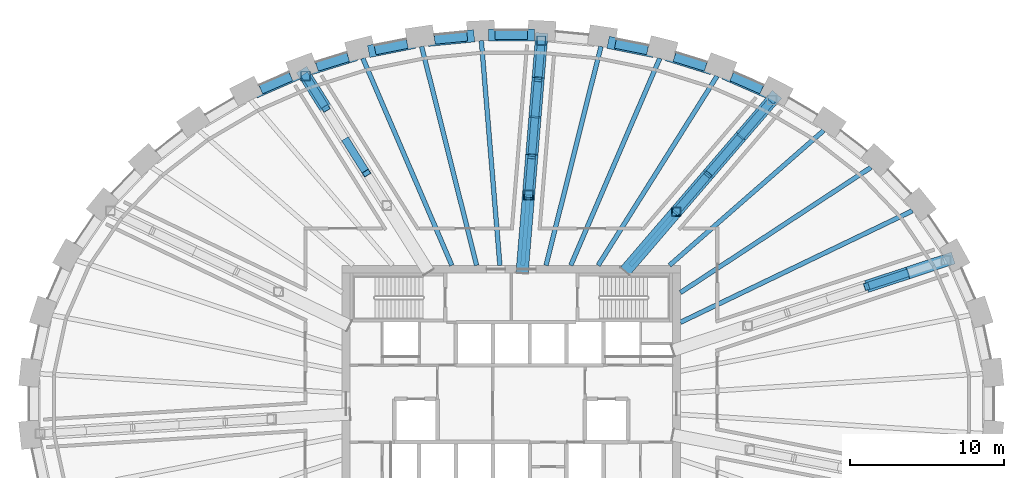
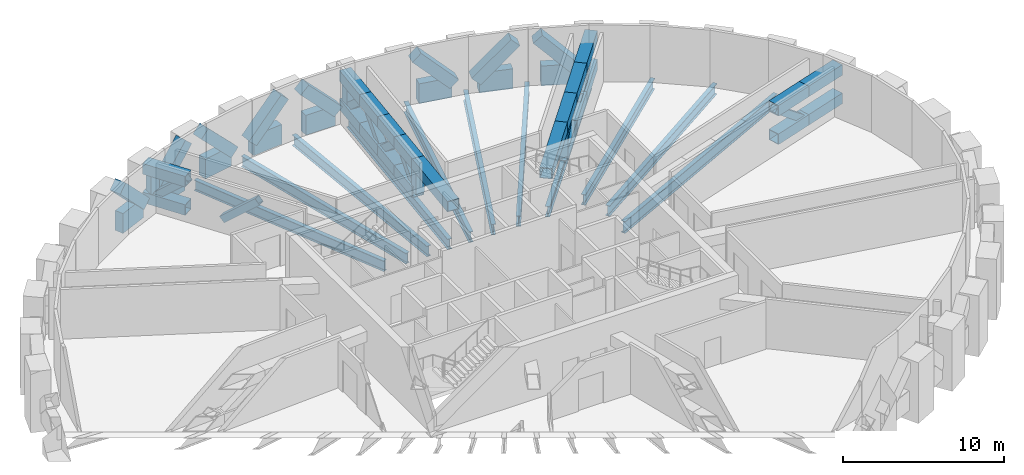
# One storey, part 5 of 12: 44 members, 19 beams.
"""IFC4 building model written with IfcOpenShell, lengths in metres."""

from ifc_helpers import new_model, si_unit, direction, frame, origin, origin_2d, place, context, subcontext, project, spatial, rectangle, hollow_rectangle, i_section, extrude, source, transform, mapped, material, material_profile, profile_set, type_object, element, save


model = new_model("IFC4")

# Units and contexts
model_context = context("Model", 3, precision=1e-05, world=origin(), true_north=direction((0.0, 1.0)))
body_context = subcontext(model_context, "Body", "Model", "MODEL_VIEW")
ifc_project = project(units=[si_unit("LENGTHUNIT", "METRE"), si_unit("AREAUNIT", "SQUARE_METRE"), si_unit("VOLUMEUNIT", "CUBIC_METRE"), si_unit("PLANEANGLEUNIT", "RADIAN"), si_unit("MASSUNIT", "GRAM", prefix="KILO")], contexts=[model_context])

# Site, building, storey
site_placement = place(None, origin())
site = spatial("IfcSite", under=ifc_project, at=site_placement, CompositionType="ELEMENT")
building_placement = place(site_placement, origin())
building = spatial("IfcBuilding", under=site, at=building_placement, Name="Embergate Tower", CompositionType="ELEMENT")
storey_placement = place(building_placement, frame((0.0, 0.0, 289.0)))
storey = spatial("IfcBuildingStorey", under=building, at=storey_placement, Name="L67", CompositionType="ELEMENT", Elevation=289.0)

# Beams
ifc_material_1 = material(Name="Concrete C50", Category="concrete")
ifc_material_profile_1 = material_profile(ifc_material_1, rectangle(XDim=0.60009765625, YDim=1.5, at=origin_2d()), Name="RC 600x1500")
ifc_profile_set_1 = profile_set([ifc_material_profile_1], Name="Concrete C50")
beam_type_1 = type_object("IfcBeamType", Name="Spandrel beam RC 600x1500 C50", PredefinedType="BEAM", material=ifc_profile_set_1)
shared_shape_1 = source(origin(), body_context, "Body", "SweptSolid", [
    extrude(rectangle(XDim=0.60009765625, YDim=1.5, at=origin_2d()), origin(), (0.0, 0.0, 1.0), 2.13916015625),
])
for number, where, z_axis, x_axis, name in (
    (1, (16.2958984375, 20.430908203125, 0.0), (-0.916209713136, 0.400699091034, 0.0), (-0.400699091034, -0.916209713136, 0.0), "SPN-L67-06"),
    (2, (-14.3359375, 21.2880859375, 0.0), (-0.916209713136, -0.400699091034, 0.0), (0.400699091034, -0.916209713136, 0.0), "SPN-L67-14"),
):
    element("IfcBeam", number, at=place(storey_placement, frame(where, z_axis=z_axis, x_axis=x_axis)), inside=storey, type_object=beam_type_1, Name=name, PredefinedType="BEAM", context=body_context, shape_type="MappedRepresentation", body=[
        mapped(shared_shape_1, transform((0.0, 0.0, 0.0))),
    ])
shared_shape_2 = source(origin(), body_context, "Body", "SweptSolid", [
    extrude(rectangle(XDim=0.60009765625, YDim=1.5, at=origin_2d()), origin(), (0.0, 0.0, 1.0), 2.137451171875),
])
for number, where, z_axis, x_axis, name in (
    (3, (12.64990234375, 21.91796875, 0.0), (-0.954853176449, 0.297078123438, 0.0), (-0.297078123438, -0.954853176449, 0.0), "SPN-L67-07"),
    (4, (-10.60888671875, 22.552978515625, 0.0), (-0.954853176449, -0.297078123438, 0.0), (0.297078123438, -0.954853176449, 0.0), "SPN-L67-13"),
):
    element("IfcBeam", number, at=place(storey_placement, frame(where, z_axis=z_axis, x_axis=x_axis)), inside=storey, type_object=beam_type_1, Name=name, PredefinedType="BEAM", context=body_context, shape_type="MappedRepresentation", body=[
        mapped(shared_shape_2, transform((0.0, 0.0, 0.0))),
    ])
shared_shape_3 = source(origin(), body_context, "Body", "SweptSolid", [
    extrude(rectangle(XDim=0.60009765625, YDim=1.5, at=origin_2d()), origin(), (0.0, 0.0, 1.0), 2.13671875),
])
for number, where, z_axis, x_axis, name in (
    (5, (8.864990234375, 22.998046875, 0.0), (-0.980497086391, 0.196533619461, 0.0), (-0.196533619461, -0.980497086391, 0.0), "SPN-L67-08"),
    (6, (-6.77001953125, 23.41796875, 0.0), (-0.980497086391, -0.196533619461, 0.0), (0.196533619461, -0.980497086391, 0.0), "SPN-L67-12"),
):
    element("IfcBeam", number, at=place(storey_placement, frame(where, z_axis=z_axis, x_axis=x_axis)), inside=storey, type_object=beam_type_1, Name=name, PredefinedType="BEAM", context=body_context, shape_type="MappedRepresentation", body=[
        mapped(shared_shape_3, transform((0.0, 0.0, 0.0))),
    ])
shared_shape_4 = source(origin(), body_context, "Body", "SweptSolid", [
    extrude(rectangle(XDim=0.60009765625, YDim=1.5, at=origin_2d()), origin(), (0.0, 0.0, 1.0), 2.13427734375),
])
beam_1_placement = place(storey_placement, frame((-2.865966796875, 23.89306640625, 0.0), z_axis=(-0.995194487499, -0.097917986356, 0.0), x_axis=(0.097917986356, -0.995194487499, 0.0)))
element("IfcBeam", 7, at=beam_1_placement, inside=storey, type_object=beam_type_1, Name="SPN-L67-11", PredefinedType="BEAM", context=body_context, shape_type="MappedRepresentation", body=[
    mapped(shared_shape_4, transform((0.0, 0.0, 0.0))),
])
shared_shape_5 = source(origin(), body_context, "Body", "SweptSolid", [
    extrude(rectangle(XDim=0.60009765625, YDim=1.5, at=origin_2d()), origin(), (0.0, 0.0, 1.0), 2.13623046875),
])
beam_2_placement = place(storey_placement, frame((1.068115234375, 23.98095703125, 0.0), z_axis=(-1.0, 0.0, 0.0), x_axis=(0.0, -1.0, 0.0)))
element("IfcBeam", 8, at=beam_2_placement, inside=storey, type_object=beam_type_1, Name="SPN-L67-10", PredefinedType="BEAM", context=body_context, shape_type="MappedRepresentation", body=[
    mapped(shared_shape_5, transform((0.0, 0.0, 0.0))),
])
ifc_material_2 = material(Name="Steel Q355B", Category="steel")
ifc_material_profile_2 = material_profile(ifc_material_2, i_section(OverallWidth=0.300048828125, OverallDepth=0.89990234375, WebThickness=0.01611328125, FlangeThickness=0.028076171875, FilletRadius=0.028076171875, at=origin_2d()), Name="HN 900x300x16x28")
ifc_profile_set_2 = profile_set([ifc_material_profile_2], Name="Steel Q355 grade B")
beam_type_2 = type_object("IfcBeamType", Name="Plant girder HN 900x300x16x28", PredefinedType="BEAM", material=ifc_profile_set_2)
shared_shape_6 = source(origin(), body_context, "Body", "SweptSolid", [
    extrude(i_section(OverallWidth=0.300048828125, OverallDepth=0.89990234375, WebThickness=0.01611328125, FlangeThickness=0.028076171875, FilletRadius=0.028076171875, at=origin_2d()), origin(), (0.0, 0.0, 1.0), 16.742919921875),
])
beam_3_placement = place(storey_placement, frame((26.087890625, 12.550048828125, -0.75), z_axis=(-0.901152969727, -0.433501240081, 0.0), x_axis=(0.433501240081, -0.901152969727, 0.0)))
element("IfcBeam", 9, at=beam_3_placement, inside=storey, type_object=beam_type_2, Name="GIR-L67-03", PredefinedType="BEAM", context=body_context, shape_type="MappedRepresentation", body=[
    mapped(shared_shape_6, transform((0.0, 0.0, 0.0))),
])
ifc_material_profile_3 = material_profile(ifc_material_2, i_section(OverallWidth=0.300048828125, OverallDepth=0.800048828125, WebThickness=0.013916015625, FlangeThickness=0.02587890625, FilletRadius=0.028076171875, at=origin_2d()), Name="HN 800x300x14x26")
ifc_profile_set_3 = profile_set([ifc_material_profile_3], Name="Steel Q355 grade B")
beam_type_3 = type_object("IfcBeamType", Name="Plant girder HN 800x300x14x26", PredefinedType="BEAM", material=ifc_profile_set_3)
shared_shape_7 = source(origin(), body_context, "Body", "SweptSolid", [
    extrude(i_section(OverallWidth=0.300048828125, OverallDepth=0.800048828125, WebThickness=0.013916015625, FlangeThickness=0.02587890625, FilletRadius=0.028076171875, at=origin_2d()), origin(), (0.0, 0.0, 1.0), 14.83251953125),
])
beam_4_placement = place(storey_placement, frame((23.39599609375, 15.3720703125, -0.699951171875), z_axis=(-0.835733968997, -0.549134530935, 0.0), x_axis=(0.549134530935, -0.835733968997, 0.0)))
element("IfcBeam", 10, at=beam_4_placement, inside=storey, type_object=beam_type_3, Name="GIR-L67-04", PredefinedType="BEAM", context=body_context, shape_type="MappedRepresentation", body=[
    mapped(shared_shape_7, transform((0.0, 0.0, 0.0))),
])
shared_shape_8 = source(origin(), body_context, "Body", "SweptSolid", [
    extrude(i_section(OverallWidth=0.300048828125, OverallDepth=0.800048828125, WebThickness=0.013916015625, FlangeThickness=0.02587890625, FilletRadius=0.028076171875, at=origin_2d()), origin(), (0.0, 0.0, 1.0), 13.325439453125),
])
beam_5_placement = place(storey_placement, frame((20.322021484375, 17.77197265625, -0.699951171875), z_axis=(-0.752768469268, -0.658285372522, 0.0), x_axis=(0.658285372522, -0.752768469268, 0.0)))
element("IfcBeam", 11, at=beam_5_placement, inside=storey, type_object=beam_type_3, Name="GIR-L67-05", PredefinedType="BEAM", context=body_context, shape_type="MappedRepresentation", body=[
    mapped(shared_shape_8, transform((0.0, 0.0, 0.0))),
])
shared_shape_9 = source(origin(), body_context, "Body", "SweptSolid", [
    extrude(i_section(OverallWidth=0.300048828125, OverallDepth=0.800048828125, WebThickness=0.013916015625, FlangeThickness=0.02587890625, FilletRadius=0.028076171875, at=origin_2d()), origin(), (0.0, 0.0, 1.0), 14.16796875),
])
beam_6_placement = place(storey_placement, frame((16.958984375, 19.7490234375, -0.699951171875), z_axis=(-0.651463764724, -0.758679750126, 0.0), x_axis=(0.758679750126, -0.651463764724, 0.0)))
element("IfcBeam", 12, at=beam_6_placement, inside=storey, type_object=beam_type_3, Name="GIR-L67-06", PredefinedType="BEAM", context=body_context, shape_type="MappedRepresentation", body=[
    mapped(shared_shape_9, transform((0.0, 0.0, 0.0))),
])
shared_shape_10 = source(origin(), body_context, "Body", "SweptSolid", [
    extrude(i_section(OverallWidth=0.300048828125, OverallDepth=0.800048828125, WebThickness=0.013916015625, FlangeThickness=0.02587890625, FilletRadius=0.028076171875, at=origin_2d()), origin(), (0.0, 0.0, 1.0), 14.5390625),
])
beam_7_placement = place(storey_placement, frame((13.385009765625, 21.31201171875, -0.699951171875), z_axis=(-0.531872320172, -0.846824559773, 0.0), x_axis=(0.846824559773, -0.531872320172, 0.0)))
element("IfcBeam", 13, at=beam_7_placement, inside=storey, type_object=beam_type_3, Name="GIR-L67-07", PredefinedType="BEAM", context=body_context, shape_type="MappedRepresentation", body=[
    mapped(shared_shape_10, transform((0.0, 0.0, 0.0))),
])
shared_shape_11 = source(origin(), body_context, "Body", "SweptSolid", [
    extrude(i_section(OverallWidth=0.300048828125, OverallDepth=0.800048828125, WebThickness=0.013916015625, FlangeThickness=0.02587890625, FilletRadius=0.028076171875, at=origin_2d()), origin(), (0.0, 0.0, 1.0), 14.662841796875),
])
for number, where, z_axis, x_axis, name in (
    (14, (9.659912109375, 22.470947265625, -0.699951171875), (-0.394941891476, -0.918706102275, 0.0), (0.918706102275, -0.394941891476, 0.0), "GIR-L67-08"),
    (15, (-9.659912109375, 22.470947265625, -0.699951171875), (0.394941891476, -0.918706102275, 0.0), (0.918706102275, 0.394941891476, 0.0), "GIR-L67-13"),
):
    element("IfcBeam", number, at=place(storey_placement, frame(where, z_axis=z_axis, x_axis=x_axis)), inside=storey, type_object=beam_type_3, Name=name, PredefinedType="BEAM", context=body_context, shape_type="MappedRepresentation", body=[
        mapped(shared_shape_11, transform((0.0, 0.0, 0.0))),
    ])
shared_shape_12 = source(origin(), body_context, "Body", "SweptSolid", [
    extrude(i_section(OverallWidth=0.300048828125, OverallDepth=0.800048828125, WebThickness=0.013916015625, FlangeThickness=0.02587890625, FilletRadius=0.028076171875, at=origin_2d()), origin(), (0.0, 0.0, 1.0), 14.6806640625),
])
for number, where, z_axis, x_axis, name in (
    (16, (5.8330078125, 23.239013671875, -0.699951171875), (-0.243447235722, -0.969914142293, 0.0), (0.969914142293, -0.243447235722, 0.0), "GIR-L67-09"),
    (17, (-5.8330078125, 23.239013671875, -0.699951171875), (0.243447235722, -0.969914142293, 0.0), (0.969914142293, 0.243447235722, 0.0), "GIR-L67-12"),
):
    element("IfcBeam", number, at=place(storey_placement, frame(where, z_axis=z_axis, x_axis=x_axis)), inside=storey, type_object=beam_type_3, Name=name, PredefinedType="BEAM", context=body_context, shape_type="MappedRepresentation", body=[
        mapped(shared_shape_12, transform((0.0, 0.0, 0.0))),
    ])
shared_shape_13 = source(origin(), body_context, "Body", "SweptSolid", [
    extrude(i_section(OverallWidth=0.300048828125, OverallDepth=0.800048828125, WebThickness=0.013916015625, FlangeThickness=0.02587890625, FilletRadius=0.028076171875, at=origin_2d()), origin(), (0.0, 0.0, 1.0), 14.6708984375),
])
for number, where, z_axis, x_axis, name in (
    (18, (1.950927734375, 23.62109375, -0.699951171875), (-0.082340334024, -0.996604269203, 0.0), (0.996604269203, -0.082340334024, 0.0), "GIR-L67-10"),
    (19, (-1.950927734375, 23.62109375, -0.699951171875), (0.082340334024, -0.996604269203, 0.0), (0.996604269203, 0.082340334024, 0.0), "GIR-L67-11"),
):
    element("IfcBeam", number, at=place(storey_placement, frame(where, z_axis=z_axis, x_axis=x_axis)), inside=storey, type_object=beam_type_3, Name=name, PredefinedType="BEAM", context=body_context, shape_type="MappedRepresentation", body=[
        mapped(shared_shape_13, transform((0.0, 0.0, 0.0))),
    ])

# Members
ifc_material_profile_4 = material_profile(ifc_material_2, hollow_rectangle(XDim=0.800048828125, YDim=0.800048828125, WallThickness=0.0400390625, at=origin_2d()), Name="BOX 800x800x40")
ifc_profile_set_4 = profile_set([ifc_material_profile_4], Name="Steel Q355 grade B")
member_type_1 = type_object("IfcMemberType", Name="Outrigger chord BOX 800x800x40", PredefinedType="CHORD", material=ifc_profile_set_4)
shared_shape_14 = source(origin(), body_context, "Body", "SweptSolid", [
    extrude(hollow_rectangle(XDim=0.800048828125, YDim=0.800048828125, WallThickness=0.0400390625, at=origin_2d()), origin(), (0.0, 0.0, 1.0), 2.81982421875),
])
for number, where, z_axis, x_axis, name in (
    (20, (23.114990234375, 7.623046875, 2.550048828125), (0.949699995301, 0.313161170845, 0.0), (-0.313161170845, 0.949699995301, 0.0), "OUT-L67-02-TC04"),
    (21, (23.114990234375, 7.623046875, 0.39990234375), (0.949699995301, 0.313161170845, 0.0), (-0.313161170845, 0.949699995301, 0.0), "OUT-L67-02-BC03"),
):
    element("IfcMember", number, at=place(storey_placement, frame(where, z_axis=z_axis, x_axis=x_axis)), inside=storey, type_object=member_type_1, Name=name, PredefinedType="CHORD", context=body_context, shape_type="MappedRepresentation", body=[
        mapped(shared_shape_14, transform((0.0, 0.0, 0.0))),
    ])
shared_shape_15 = source(origin(), body_context, "Body", "SweptSolid", [
    extrude(hollow_rectangle(XDim=0.800048828125, YDim=0.800048828125, WallThickness=0.0400390625, at=origin_2d()), origin(), (0.0, 0.0, 1.0), 3.21875),
])
for number, where, z_axis, x_axis, name in (
    (22, (25.697998046875, 8.47509765625, 2.550048828125), (0.949717320416, 0.313108625403, 0.0), (-0.313108625403, 0.949717320416, 0.0), "OUT-L67-02-TC05"),
    (23, (25.697998046875, 8.47509765625, 0.39990234375), (0.949717320416, 0.313108625403, 0.0), (-0.313108625403, 0.949717320416, 0.0), "OUT-L67-02-BC04"),
):
    element("IfcMember", number, at=place(storey_placement, frame(where, z_axis=z_axis, x_axis=x_axis)), inside=storey, type_object=member_type_1, Name=name, PredefinedType="CHORD", context=body_context, shape_type="MappedRepresentation", body=[
        mapped(shared_shape_15, transform((0.0, 0.0, 0.0))),
    ])
ifc_material_profile_5 = material_profile(ifc_material_2, hollow_rectangle(XDim=0.60009765625, YDim=0.60009765625, WallThickness=0.028076171875, at=origin_2d()), Name="BOX 600x600x28")
ifc_profile_set_5 = profile_set([ifc_material_profile_5], Name="Steel Q355 grade B")
member_type_2 = type_object("IfcMemberType", Name="Outrigger post BOX 600x600x28", PredefinedType="POST", material=ifc_profile_set_5)
shared_shape_16 = source(origin(), body_context, "Body", "SweptSolid", [
    extrude(hollow_rectangle(XDim=0.60009765625, YDim=0.60009765625, WallThickness=0.028076171875, at=origin_2d()), origin(), (0.0, 0.0, 1.0), 2.150146484375),
])
for number, where, z_axis, x_axis, name in (
    (24, (10.72607421875, 12.489990234375, 0.39990234375), (0.0, 0.0, 1.0), (1.0, 0.0, 0.0), "OUT-L67-06-PO00"),
    (25, (1.1220703125, 13.583984375, 0.39990234375), (0.0, 0.0, 1.0), (1.0, 0.0, 0.0), "OUT-L67-10-PO00"),
    (26, (1.950927734375, 23.6201171875, 0.39990234375), (0.0, 0.0, 1.0), (1.0, 0.0, 0.0), "OUT-L67-10-PO04"),
    (27, (-13.385009765625, 21.31103515625, 0.39990234375), (0.0, 0.0, 1.0), (1.0, 0.0, 0.0), "OUT-L67-14-PO04"),
):
    element("IfcMember", number, at=place(storey_placement, frame(where, z_axis=z_axis, x_axis=x_axis)), inside=storey, type_object=member_type_2, Name=name, PredefinedType="POST", context=body_context, shape_type="MappedRepresentation", body=[
        mapped(shared_shape_16, transform((0.0, 0.0, 0.0))),
    ])
ifc_material_profile_6 = material_profile(ifc_material_2, hollow_rectangle(XDim=0.5, YDim=0.5, WallThickness=0.02490234375, at=origin_2d()), Name="BOX 500x500x25")
ifc_profile_set_6 = profile_set([ifc_material_profile_6], Name="Steel Q355 grade B")
member_type_3 = type_object("IfcMemberType", Name="Outrigger diagonal BOX 500x500x25", PredefinedType="BRACE", material=ifc_profile_set_6)
shared_shape_17 = source(origin(), body_context, "Body", "SweptSolid", [
    extrude(hollow_rectangle(XDim=0.5, YDim=0.5, WallThickness=0.02490234375, at=origin_2d()), origin(), (0.0, 0.0, 1.0), 3.467041015625),
])
member_1_placement = place(storey_placement, frame((23.114990234375, 7.623046875, 2.550048828125), z_axis=(0.744996996066, 0.245750426869, -0.620150145969), x_axis=(-0.313264128234, 0.949666039175, 0.0)))
element("IfcMember", 28, at=member_1_placement, inside=storey, type_object=member_type_3, Name="OUT-L67-02-DG03", PredefinedType="BRACE", context=body_context, shape_type="MappedRepresentation", body=[
    mapped(shared_shape_17, transform((0.0, 0.0, 0.0))),
])
shared_shape_18 = source(origin(), body_context, "Body", "SweptSolid", [
    extrude(hollow_rectangle(XDim=0.800048828125, YDim=0.800048828125, WallThickness=0.0400390625, at=origin_2d()), origin(), (0.0, 0.0, 1.0), 5.199951171875),
])
member_2_placement = place(storey_placement, frame((7.403076171875, 8.62109375, 2.550048828125), z_axis=(0.651529566496, 0.758623242447, 0.0), x_axis=(-0.758623242447, 0.651529566496, 0.0)))
element("IfcMember", 29, at=member_2_placement, inside=storey, type_object=member_type_1, Name="OUT-L67-06-TC00", PredefinedType="CHORD", context=body_context, shape_type="MappedRepresentation", body=[
    mapped(shared_shape_18, transform((0.0, 0.0, 0.0))),
])
shared_shape_19 = source(origin(), body_context, "Body", "SweptSolid", [
    extrude(hollow_rectangle(XDim=0.800048828125, YDim=0.800048828125, WallThickness=0.0400390625, at=origin_2d()), origin(), (0.0, 0.0, 1.0), 3.2890625),
])
for number, where, z_axis, x_axis, name in (
    (30, (10.72607421875, 12.489990234375, 2.550048828125), (0.65151853078, 0.758632720129, 0.0), (-0.758632720129, 0.65151853078, 0.0), "OUT-L67-06-TC01"),
    (31, (10.72607421875, 12.489990234375, 0.39990234375), (0.65151853078, 0.758632720129, 0.0), (-0.758632720129, 0.65151853078, 0.0), "OUT-L67-06-BC00"),
):
    element("IfcMember", number, at=place(storey_placement, frame(where, z_axis=z_axis, x_axis=x_axis)), inside=storey, type_object=member_type_1, Name=name, PredefinedType="CHORD", context=body_context, shape_type="MappedRepresentation", body=[
        mapped(shared_shape_19, transform((0.0, 0.0, 0.0))),
    ])
shared_shape_20 = source(origin(), body_context, "Body", "SweptSolid", [
    extrude(hollow_rectangle(XDim=0.800048828125, YDim=0.800048828125, WallThickness=0.0400390625, at=origin_2d()), origin(), (0.0, 0.0, 1.0), 3.28857421875),
])
for number, where, z_axis, x_axis, name in (
    (32, (12.803955078125, 14.908935546875, 2.550048828125), (0.651390339175, 0.758742793066, 0.0), (-0.758742793066, 0.651390339175, 0.0), "OUT-L67-06-TC02"),
    (33, (12.803955078125, 14.908935546875, 0.39990234375), (0.651390339175, 0.758742793066, 0.0), (-0.758742793066, 0.651390339175, 0.0), "OUT-L67-06-BC01"),
):
    element("IfcMember", number, at=place(storey_placement, frame(where, z_axis=z_axis, x_axis=x_axis)), inside=storey, type_object=member_type_1, Name=name, PredefinedType="CHORD", context=body_context, shape_type="MappedRepresentation", body=[
        mapped(shared_shape_20, transform((0.0, 0.0, 0.0))),
    ])
shared_shape_21 = source(origin(), body_context, "Body", "SweptSolid", [
    extrude(hollow_rectangle(XDim=0.800048828125, YDim=0.800048828125, WallThickness=0.0400390625, at=origin_2d()), origin(), (0.0, 0.0, 1.0), 3.688720703125),
])
for number, where, z_axis, x_axis, name in (
    (34, (14.881103515625, 17.3291015625, 2.550048828125), (0.651673941372, 0.758499224875, 0.0), (-0.758499224875, 0.651673941372, 0.0), "OUT-L67-06-TC03"),
    (35, (14.881103515625, 17.3291015625, 0.39990234375), (0.651673941372, 0.758499224875, 0.0), (-0.758499224875, 0.651673941372, 0.0), "OUT-L67-06-BC02"),
):
    element("IfcMember", number, at=place(storey_placement, frame(where, z_axis=z_axis, x_axis=x_axis)), inside=storey, type_object=member_type_1, Name=name, PredefinedType="CHORD", context=body_context, shape_type="MappedRepresentation", body=[
        mapped(shared_shape_21, transform((0.0, 0.0, 0.0))),
    ])
shared_shape_22 = source(origin(), body_context, "Body", "SweptSolid", [
    extrude(hollow_rectangle(XDim=0.5, YDim=0.5, WallThickness=0.02490234375, at=origin_2d()), origin(), (0.0, 0.0, 1.0), 3.845947265625),
])
for number, where, z_axis, x_axis, name in (
    (36, (10.72607421875, 12.489990234375, 0.39990234375), (0.540265170267, 0.628944578428, 0.559054794329), (-0.758559018042, 0.651604340185, 0.0), "OUT-L67-06-DG00"),
    (37, (14.881103515625, 17.3291015625, 0.39990234375), (0.540265170267, 0.628944578428, 0.559054794329), (-0.758559018042, 0.651604340185, 0.0), "OUT-L67-06-DG02"),
):
    element("IfcMember", number, at=place(storey_placement, frame(where, z_axis=z_axis, x_axis=x_axis)), inside=storey, type_object=member_type_3, Name=name, PredefinedType="BRACE", context=body_context, shape_type="MappedRepresentation", body=[
        mapped(shared_shape_22, transform((0.0, 0.0, 0.0))),
    ])
shared_shape_23 = source(origin(), body_context, "Body", "SweptSolid", [
    extrude(hollow_rectangle(XDim=0.5, YDim=0.5, WallThickness=0.02490234375, at=origin_2d()), origin(), (0.0, 0.0, 1.0), 3.846435546875),
])
member_3_placement = place(storey_placement, frame((12.803955078125, 14.908935546875, 2.550048828125), z_axis=(0.540022460509, 0.629201063825, -0.559000682851), x_axis=(-0.758834970722, 0.651282954797, 0.0)))
element("IfcMember", 38, at=member_3_placement, inside=storey, type_object=member_type_3, Name="OUT-L67-06-DG01", PredefinedType="BRACE", context=body_context, shape_type="MappedRepresentation", body=[
    mapped(shared_shape_23, transform((0.0, 0.0, 0.0))),
])
shared_shape_24 = source(origin(), body_context, "Body", "SweptSolid", [
    extrude(hollow_rectangle(XDim=0.800048828125, YDim=0.800048828125, WallThickness=0.0400390625, at=origin_2d()), origin(), (0.0, 0.0, 1.0), 5.19970703125),
])
member_4_placement = place(storey_placement, frame((0.701904296875, 8.501953125, 2.550048828125), z_axis=(0.082307174483, 0.996607008318, 0.0), x_axis=(-0.996607008318, 0.082307174483, 0.0)))
element("IfcMember", 39, at=member_4_placement, inside=storey, type_object=member_type_1, Name="OUT-L67-10-TC00", PredefinedType="CHORD", context=body_context, shape_type="MappedRepresentation", body=[
    mapped(shared_shape_24, transform((0.0, 0.0, 0.0))),
])
shared_shape_25 = source(origin(), body_context, "Body", "SweptSolid", [
    extrude(hollow_rectangle(XDim=0.800048828125, YDim=0.800048828125, WallThickness=0.0400390625, at=origin_2d()), origin(), (0.0, 0.0, 1.0), 2.617919921875),
])
for number, where, z_axis, x_axis, name in (
    (40, (1.1220703125, 13.583984375, 2.550048828125), (0.082065286886, 0.99662695563, 0.0), (-0.99662695563, 0.082065286886, 0.0), "OUT-L67-10-TC01"),
    (41, (1.3291015625, 16.093017578125, 2.550048828125), (0.082443443611, 0.996595744826, 0.0), (-0.996595744826, 0.082443443611, 0.0), "OUT-L67-10-TC02"),
    (42, (1.535888671875, 18.60205078125, 2.550048828125), (0.082536070463, 0.99658807793, 0.0), (-0.99658807793, 0.082536070463, 0.0), "OUT-L67-10-TC03"),
    (43, (1.1220703125, 13.583984375, 0.39990234375), (0.082065286886, 0.99662695563, 0.0), (-0.99662695563, 0.082065286886, 0.0), "OUT-L67-10-BC00"),
    (44, (1.3291015625, 16.093017578125, 0.39990234375), (0.082443443611, 0.996595744826, 0.0), (-0.996595744826, 0.082443443611, 0.0), "OUT-L67-10-BC01"),
    (45, (1.535888671875, 18.60205078125, 0.39990234375), (0.082536070463, 0.99658807793, 0.0), (-0.99658807793, 0.082536070463, 0.0), "OUT-L67-10-BC02"),
):
    element("IfcMember", number, at=place(storey_placement, frame(where, z_axis=z_axis, x_axis=x_axis)), inside=storey, type_object=member_type_1, Name=name, PredefinedType="CHORD", context=body_context, shape_type="MappedRepresentation", body=[
        mapped(shared_shape_25, transform((0.0, 0.0, 0.0))),
    ])
shared_shape_26 = source(origin(), body_context, "Body", "SweptSolid", [
    extrude(hollow_rectangle(XDim=0.800048828125, YDim=0.800048828125, WallThickness=0.0400390625, at=origin_2d()), origin(), (0.0, 0.0, 1.0), 3.01708984375),
])
for number, where, z_axis, x_axis, name in (
    (46, (1.743896484375, 21.111083984375, 2.550048828125), (0.082215041157, 0.996614613081, 0.0), (-0.996614613081, 0.082215041157, 0.0), "OUT-L67-10-TC04"),
    (47, (1.743896484375, 21.111083984375, 0.39990234375), (0.082215041157, 0.996614613081, 0.0), (-0.996614613081, 0.082215041157, 0.0), "OUT-L67-10-BC03"),
):
    element("IfcMember", number, at=place(storey_placement, frame(where, z_axis=z_axis, x_axis=x_axis)), inside=storey, type_object=member_type_1, Name=name, PredefinedType="CHORD", context=body_context, shape_type="MappedRepresentation", body=[
        mapped(shared_shape_26, transform((0.0, 0.0, 0.0))),
    ])
shared_shape_27 = source(origin(), body_context, "Body", "SweptSolid", [
    extrude(hollow_rectangle(XDim=0.5, YDim=0.5, WallThickness=0.02490234375, at=origin_2d()), origin(), (0.0, 0.0, 1.0), 3.310791015625),
])
for number, where, z_axis, x_axis, name in (
    (48, (1.1220703125, 13.583984375, 0.39990234375), (0.062532540291, 0.757838345016, 0.649438776351), (-0.996612976752, 0.082234874408, 0.0), "OUT-L67-10-DG00"),
    (49, (1.3291015625, 16.093017578125, 2.550048828125), (0.062459086932, 0.757841837543, -0.649441769314), (-0.996620919885, 0.082138553969, 0.0), "OUT-L67-10-DG01"),
    (50, (1.535888671875, 18.60205078125, 0.39990234375), (0.062826343556, 0.757824334185, 0.649426769599), (-0.996581112408, 0.082620133091, 0.0), "OUT-L67-10-DG02"),
    (51, (1.743896484375, 21.111083984375, 2.550048828125), (0.062532540291, 0.757838345016, -0.649438776351), (-0.996612976752, 0.082234874408, 0.0), "OUT-L67-10-DG03"),
):
    element("IfcMember", number, at=place(storey_placement, frame(where, z_axis=z_axis, x_axis=x_axis)), inside=storey, type_object=member_type_3, Name=name, PredefinedType="BRACE", context=body_context, shape_type="MappedRepresentation", body=[
        mapped(shared_shape_27, transform((0.0, 0.0, 0.0))),
    ])
shared_shape_28 = source(origin(), body_context, "Body", "SweptSolid", [
    extrude(hollow_rectangle(XDim=0.800048828125, YDim=0.800048828125, WallThickness=0.0400390625, at=origin_2d()), origin(), (0.0, 0.0, 1.0), 2.984375),
])
for number, where, z_axis, x_axis, name in (
    (52, (-12.06298828125, 19.20703125, 2.550048828125), (-0.532071018268, 0.846699729254, 0.0), (-0.846699729254, -0.532071018268, 0.0), "OUT-L67-14-TC04"),
    (53, (-12.06298828125, 19.20703125, 0.39990234375), (-0.532071018268, 0.846699729254, 0.0), (-0.846699729254, -0.532071018268, 0.0), "OUT-L67-14-BC03"),
):
    element("IfcMember", number, at=place(storey_placement, frame(where, z_axis=z_axis, x_axis=x_axis)), inside=storey, type_object=member_type_1, Name=name, PredefinedType="CHORD", context=body_context, shape_type="MappedRepresentation", body=[
        mapped(shared_shape_28, transform((0.0, 0.0, 0.0))),
    ])
shared_shape_29 = source(origin(), body_context, "Body", "SweptSolid", [
    extrude(hollow_rectangle(XDim=0.5, YDim=0.5, WallThickness=0.02490234375, at=origin_2d()), origin(), (0.0, 0.0, 1.0), 3.285888671875),
])
for number, where, z_axis, x_axis, name in (
    (54, (-9.419921875, 14.9990234375, 2.550048828125), (-0.402321110352, 0.640296090307, -0.654338322967), (-0.846726336994, -0.532028674266, 0.0), "OUT-L67-14-DG01"),
    (55, (-12.06298828125, 19.20703125, 2.550048828125), (-0.402321110352, 0.640296090307, -0.654338322967), (-0.846726336994, -0.532028674266, 0.0), "OUT-L67-14-DG03"),
):
    element("IfcMember", number, at=place(storey_placement, frame(where, z_axis=z_axis, x_axis=x_axis)), inside=storey, type_object=member_type_3, Name=name, PredefinedType="BRACE", context=body_context, shape_type="MappedRepresentation", body=[
        mapped(shared_shape_29, transform((0.0, 0.0, 0.0))),
    ])
ifc_material_3 = material(Name="Concrete C70", Category="concrete")
ifc_material_profile_7 = material_profile(ifc_material_3, rectangle(XDim=0.800048828125, YDim=0.800048828125, at=origin_2d()), Name="RC 800x800")
ifc_profile_set_7 = profile_set([ifc_material_profile_7], Name="Concrete C70")
member_type_4 = type_object("IfcMemberType", Name="Belt ring diagonal RC 800x800", PredefinedType="BRACE", material=ifc_profile_set_7)
shared_shape_30 = source(origin(), body_context, "Body", "SweptSolid", [
    extrude(rectangle(XDim=0.800048828125, YDim=0.800048828125, at=origin_2d()), origin(), (0.0, 0.0, 1.0), 3.58544921875),
])
member_5_placement = place(storey_placement, frame((16.424072265625, 20.375, 0.2890625), z_axis=(-0.639517358387, 0.279448385735, 0.716188626014), x_axis=(-0.400409338238, -0.916336380295, 0.0)))
element("IfcMember", 56, at=member_5_placement, inside=storey, type_object=member_type_4, Name="BLT-L67-06", PredefinedType="BRACE", context=body_context, shape_type="MappedRepresentation", body=[
    mapped(shared_shape_30, transform((0.0, 0.0, 0.0))),
])
shared_shape_31 = source(origin(), body_context, "Body", "SweptSolid", [
    extrude(rectangle(XDim=0.800048828125, YDim=0.800048828125, at=origin_2d()), origin(), (0.0, 0.0, 1.0), 3.583740234375),
])
member_6_placement = place(storey_placement, frame((10.39599609375, 22.618896484375, 0.202880859375), z_axis=(0.666051119364, -0.207029697427, 0.71659933769), x_axis=(0.296823134275, 0.95493247246, 0.0)))
element("IfcMember", 57, at=member_6_placement, inside=storey, type_object=member_type_4, Name="BLT-L67-07", PredefinedType="BRACE", context=body_context, shape_type="MappedRepresentation", body=[
    mapped(shared_shape_31, transform((0.0, 0.0, 0.0))),
])
shared_shape_32 = source(origin(), body_context, "Body", "SweptSolid", [
    extrude(rectangle(XDim=0.800048828125, YDim=0.800048828125, at=origin_2d()), origin(), (0.0, 0.0, 1.0), 3.542724609375),
])
member_7_placement = place(storey_placement, frame((9.001953125, 22.970947265625, 0.2890625), z_axis=(-0.683888440039, 0.136929295683, 0.716621915353), x_axis=(-0.19632514084, -0.980538851384, 0.0)))
element("IfcMember", 58, at=member_7_placement, inside=storey, type_object=member_type_4, Name="BLT-L67-08", PredefinedType="BRACE", context=body_context, shape_type="MappedRepresentation", body=[
    mapped(shared_shape_32, transform((0.0, 0.0, 0.0))),
])
shared_shape_33 = source(origin(), body_context, "Body", "SweptSolid", [
    extrude(rectangle(XDim=0.800048828125, YDim=0.800048828125, at=origin_2d()), origin(), (0.0, 0.0, 1.0), 3.501708984375),
])
member_8_placement = place(storey_placement, frame((-5.12890625, 23.669921875, 0.2890625), z_axis=(0.693647427759, 0.068256189745, 0.717073454065), x_axis=(-0.097928872709, 0.995193416322, 0.0)))
element("IfcMember", 59, at=member_8_placement, inside=storey, type_object=member_type_4, Name="BLT-L67-11", PredefinedType="BRACE", context=body_context, shape_type="MappedRepresentation", body=[
    mapped(shared_shape_33, transform((0.0, 0.0, 0.0))),
])
shared_shape_34 = source(origin(), body_context, "Body", "SweptSolid", [
    extrude(rectangle(XDim=0.800048828125, YDim=0.800048828125, at=origin_2d()), origin(), (0.0, 0.0, 1.0), 3.46240234375),
])
member_9_placement = place(storey_placement, frame((1.20703125, 23.98095703125, 0.2890625), z_axis=(-0.697237472037, 0.0, 0.716840224588), x_axis=(0.0, -1.0, 0.0)))
element("IfcMember", 60, at=member_9_placement, inside=storey, type_object=member_type_4, Name="BLT-L67-10", PredefinedType="BRACE", context=body_context, shape_type="MappedRepresentation", body=[
    mapped(shared_shape_34, transform((0.0, 0.0, 0.0))),
])
shared_shape_35 = source(origin(), body_context, "Body", "SweptSolid", [
    extrude(rectangle(XDim=0.800048828125, YDim=0.800048828125, at=origin_2d()), origin(), (0.0, 0.0, 1.0), 3.54296875),
])
member_10_placement = place(storey_placement, frame((-6.5791015625, 23.4560546875, 0.23193359375), z_axis=(-0.683854667589, -0.136922533706, 0.716655435603), x_axis=(0.19632514084, -0.980538851384, 0.0)))
element("IfcMember", 61, at=member_10_placement, inside=storey, type_object=member_type_4, Name="BLT-L67-12", PredefinedType="BRACE", context=body_context, shape_type="MappedRepresentation", body=[
    mapped(shared_shape_35, transform((0.0, 0.0, 0.0))),
])
shared_shape_36 = source(origin(), body_context, "Body", "SweptSolid", [
    extrude(rectangle(XDim=0.800048828125, YDim=0.800048828125, at=origin_2d()), origin(), (0.0, 0.0, 1.0), 3.58349609375),
])
member_11_placement = place(storey_placement, frame((-12.782958984375, 21.876953125, 0.2890625), z_axis=(0.666083635361, 0.207039804425, 0.716566193794), x_axis=(-0.296823134275, 0.95493247246, 0.0)))
element("IfcMember", 62, at=member_11_placement, inside=storey, type_object=member_type_4, Name="BLT-L67-13", PredefinedType="BRACE", context=body_context, shape_type="MappedRepresentation", body=[
    mapped(shared_shape_36, transform((0.0, 0.0, 0.0))),
])
shared_shape_37 = source(origin(), body_context, "Body", "SweptSolid", [
    extrude(rectangle(XDim=0.800048828125, YDim=0.800048828125, at=origin_2d()), origin(), (0.0, 0.0, 1.0), 3.585693359375),
])
member_12_placement = place(storey_placement, frame((-14.131103515625, 21.376953125, 0.202880859375), z_axis=(-0.639486172157, -0.279434758362, 0.71622178928), x_axis=(0.400409338238, -0.916336380295, 0.0)))
element("IfcMember", 63, at=member_12_placement, inside=storey, type_object=member_type_4, Name="BLT-L67-14", PredefinedType="BRACE", context=body_context, shape_type="MappedRepresentation", body=[
    mapped(shared_shape_37, transform((0.0, 0.0, 0.0))),
])

save(model, "model.ifc")
